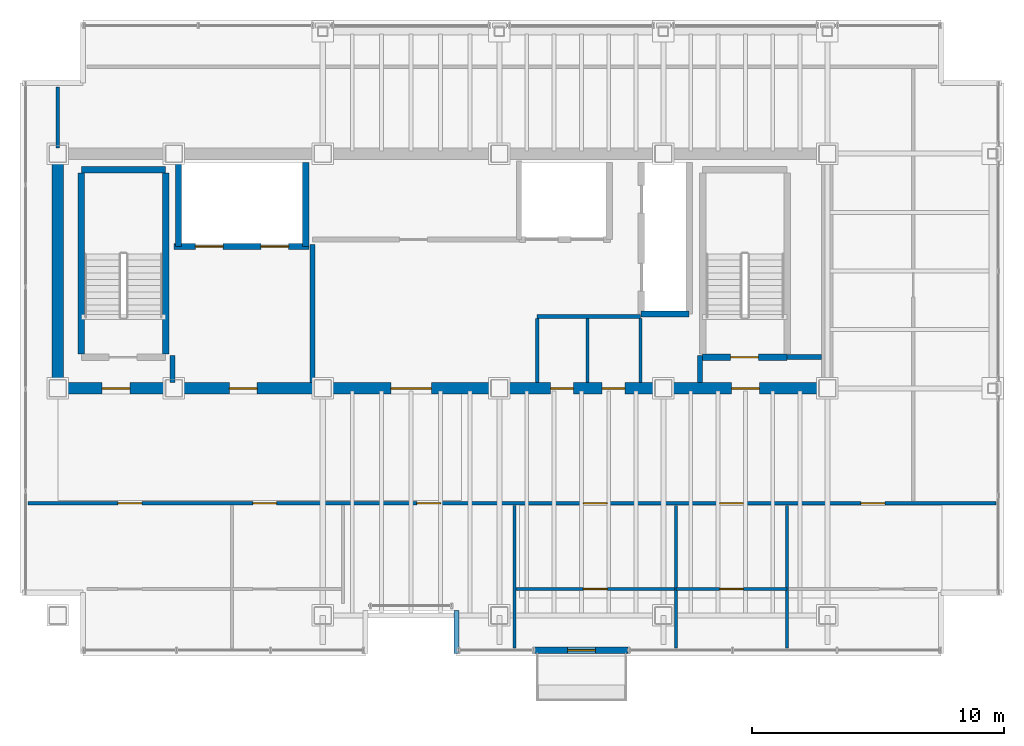
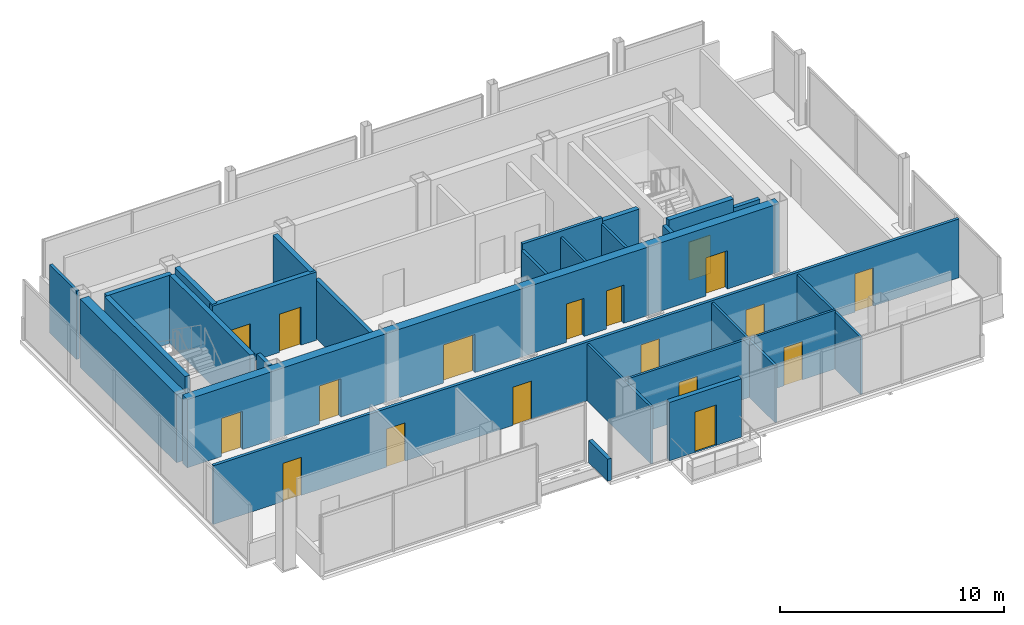
# One storey, part 14 of 17: 27 walls, 18 doors, 18 openings.
"""IFC4 building model written with IfcOpenShell, lengths in metres."""

from ifc_helpers import new_model, si_unit, direction, frame, frame_2d, origin, place, context, subcontext, project, spatial, rectangle, extrude, material, layer, layer_set, type_object, element, fill, save


model = new_model("IFC4")

# Units and contexts
model_context = context("Model", 3, precision=1e-05, world=origin(), true_north=direction((0.0, 1.0)))
body_context = subcontext(model_context, "Body", "Model", "MODEL_VIEW")
ifc_project = project(units=[si_unit("LENGTHUNIT", "METRE"), si_unit("AREAUNIT", "SQUARE_METRE"), si_unit("VOLUMEUNIT", "CUBIC_METRE"), si_unit("PLANEANGLEUNIT", "RADIAN"), si_unit("MASSUNIT", "GRAM", prefix="KILO")], contexts=[model_context])

# Site, building, storey
site_placement = place(None, origin())
site = spatial("IfcSite", under=ifc_project, at=site_placement, CompositionType="ELEMENT")
building_placement = place(site_placement, origin())
building = spatial("IfcBuilding", under=site, at=building_placement, Name="Noeulbin Bourse Tower", CompositionType="ELEMENT")
storey_placement = place(building_placement, frame((0.0, 0.0, 289.10009765625)))
storey = spatial("IfcBuildingStorey", under=building, at=storey_placement, Name="L72", CompositionType="ELEMENT", Elevation=289.10009765625)

# Wall, openings, doors
ifc_material_1 = material(Name="Concrete C50/60", Category="concrete")
ifc_layer_1 = layer(ifc_material_1, 0.449951171875)
ifc_layer_set_1 = layer_set([ifc_layer_1], Name="Concrete C50/60")
wall_type_1 = type_object("IfcWallType", Name="WAL-CORE-450", PredefinedType="SHEAR", material=ifc_layer_set_1)
wall_1_placement = place(storey_placement, frame((13.5, 29.0, 0.0), z_axis=(0.0, 0.0, 1.0), x_axis=(1.0, 0.0, 0.0)))
wall_1 = element("IfcWall", 1, at=wall_1_placement, inside=storey, type_object=wall_type_1, Name="Rear Core South Shear Wall L72", PredefinedType="SHEAR", context=body_context, shape_type="SweptSolid", body=[
    extrude(rectangle(XDim=30.5, YDim=0.449951171875, at=frame_2d((15.25, 0.0))), origin(), (0.0, 0.0, 1.0), 3.719970703125),
])
opening_1_placement = place(wall_1_placement, frame((1.75, 0.0, 0.0)))
opening_1 = element("IfcOpeningElement", 2, at=opening_1_placement, cuts=wall_1, Name="Opening FD-11", PredefinedType="OPENING", context=body_context, shape_type="SweptSolid", body=[
    extrude(rectangle(XDim=1.10009765625, YDim=2.080078125, at=frame_2d((0.550048828125, 1.0400390625))), frame((0.0, 0.23486328125, 0.0), z_axis=(0.0, -1.0, 0.0), x_axis=(1.0, 0.0, 0.0)), (0.0, 0.0, 1.0), 0.469970703125),
])
opening_2_placement = place(wall_1_placement, frame((26.699951171875, 0.0, 0.0)))
opening_2 = element("IfcOpeningElement", 3, at=opening_2_placement, cuts=wall_1, Name="Opening FD-11", PredefinedType="OPENING", context=body_context, shape_type="SweptSolid", body=[
    extrude(rectangle(XDim=1.10009765625, YDim=2.080078125, at=frame_2d((0.550048828125, 1.0400390625))), frame((0.0, 0.23486328125, 0.0), z_axis=(0.0, -1.0, 0.0), x_axis=(1.0, 0.0, 0.0)), (0.0, 0.0, 1.0), 0.469970703125),
])
opening_3_placement = place(wall_1_placement, frame((6.800048828125, 0.0, 0.0)))
opening_3 = element("IfcOpeningElement", 4, at=opening_3_placement, cuts=wall_1, Name="Opening FD-11", PredefinedType="OPENING", context=body_context, shape_type="SweptSolid", body=[
    extrude(rectangle(XDim=1.10009765625, YDim=2.080078125, at=frame_2d((0.550048828125, 1.0400390625))), frame((0.0, 0.23486328125, 0.0), z_axis=(0.0, -1.0, 0.0), x_axis=(1.0, 0.0, 0.0)), (0.0, 0.0, 1.0), 0.469970703125),
])
opening_4_placement = place(wall_1_placement, frame((13.199951171875, 0.0, 0.0)))
opening_4 = element("IfcOpeningElement", 5, at=opening_4_placement, cuts=wall_1, Name="Opening ID-16", PredefinedType="OPENING", context=body_context, shape_type="SweptSolid", body=[
    extrude(rectangle(XDim=1.60009765625, YDim=2.080078125, at=frame_2d((0.800048828125, 1.0400390625))), frame((0.0, 0.23486328125, 0.0), z_axis=(0.0, -1.0, 0.0), x_axis=(1.0, 0.0, 0.0)), (0.0, 0.0, 1.0), 0.469970703125),
])
opening_5_placement = place(wall_1_placement, frame((19.530029296875, 0.0, 0.0)))
opening_5 = element("IfcOpeningElement", 6, at=opening_5_placement, cuts=wall_1, Name="Opening FD-09", PredefinedType="OPENING", context=body_context, shape_type="SweptSolid", body=[
    extrude(rectangle(XDim=0.89990234375, YDim=2.080078125, at=frame_2d((0.449951171875, 1.0400390625))), frame((0.0, 0.23486328125, 0.0), z_axis=(0.0, -1.0, 0.0), x_axis=(1.0, 0.0, 0.0)), (0.0, 0.0, 1.0), 0.469970703125),
])
opening_6_placement = place(wall_1_placement, frame((21.570068359375, 0.0, 0.0)))
opening_6 = element("IfcOpeningElement", 7, at=opening_6_placement, cuts=wall_1, Name="Opening FD-09", PredefinedType="OPENING", context=body_context, shape_type="SweptSolid", body=[
    extrude(rectangle(XDim=0.89990234375, YDim=2.080078125, at=frame_2d((0.449951171875, 1.0400390625))), frame((0.0, 0.23486328125, 0.0), z_axis=(0.0, -1.0, 0.0), x_axis=(1.0, 0.0, 0.0)), (0.0, 0.0, 1.0), 0.469970703125),
])
ifc_material_2 = material(Name="Acoustic Glazed Aluminium", Category="aluminium")
door_type_1 = type_object("IfcDoorType", Name="DR-DBL-1600", OperationType="DOUBLE_DOOR_SINGLE_SWING", PredefinedType="DOOR", material=ifc_material_2)
door_1_placement = place(opening_4_placement, origin())
door_1 = element("IfcDoor", 8, at=door_1_placement, inside=storey, type_object=door_type_1, Name="Passenger Lift Lobby Portal L72", OperationType="DOUBLE_DOOR_SINGLE_SWING", OverallHeight=2.080078125, OverallWidth=1.60009765625, PredefinedType="DOOR", context=body_context, shape_type="SweptSolid", body=[
    extrude(rectangle(XDim=1.60009765625, YDim=2.080078125, at=frame_2d((0.800048828125, 1.0400390625))), frame((0.0, 0.02490234375, 0.0), z_axis=(0.0, -1.0, 0.0), x_axis=(1.0, 0.0, 0.0)), (0.0, 0.0, 1.0), 0.050048828125),
])
fill(opening_4, door_1)
ifc_material_3 = material(Name="Fire-Rated Timber Core", Category="wood")
door_type_2 = type_object("IfcDoorType", Name="DR-FD30-900", OperationType="SINGLE_SWING_RIGHT", PredefinedType="DOOR", material=ifc_material_3)
door_2_placement = place(opening_5_placement, origin())
door_2 = element("IfcDoor", 9, at=door_2_placement, inside=storey, type_object=door_type_2, Name="Interior Door L72-06", OperationType="SINGLE_SWING_LEFT", OverallHeight=2.080078125, OverallWidth=0.89990234375, PredefinedType="DOOR", context=body_context, shape_type="SweptSolid", body=[
    extrude(rectangle(XDim=0.89990234375, YDim=2.080078125, at=frame_2d((0.449951171875, 1.0400390625))), frame((0.0, 0.02490234375, 0.0), z_axis=(0.0, -1.0, 0.0), x_axis=(1.0, 0.0, 0.0)), (0.0, 0.0, 1.0), 0.050048828125),
])
fill(opening_5, door_2)
door_3_placement = place(opening_6_placement, origin())
door_3 = element("IfcDoor", 10, at=door_3_placement, inside=storey, type_object=door_type_2, Name="Interior Door L72-07", OperationType="SINGLE_SWING_RIGHT", OverallHeight=2.080078125, OverallWidth=0.89990234375, PredefinedType="DOOR", context=body_context, shape_type="SweptSolid", body=[
    extrude(rectangle(XDim=0.89990234375, YDim=2.080078125, at=frame_2d((0.449951171875, 1.0400390625))), frame((0.0, 0.02490234375, 0.0), z_axis=(0.0, -1.0, 0.0), x_axis=(1.0, 0.0, 0.0)), (0.0, 0.0, 1.0), 0.050048828125),
])
fill(opening_6, door_3)
ifc_material_4 = material(Name="Fire-Rated Insulated Steel", Category="steel")
door_type_3 = type_object("IfcDoorType", Name="DR-FD60-1100", OperationType="SINGLE_SWING_LEFT", PredefinedType="DOOR", material=ifc_material_4)
door_4_placement = place(opening_1_placement, origin())
door_4 = element("IfcDoor", 11, at=door_4_placement, inside=storey, type_object=door_type_3, Name="West Stair Lobby Door L72", OperationType="SINGLE_SWING_RIGHT", OverallHeight=2.080078125, OverallWidth=1.10009765625, PredefinedType="DOOR", context=body_context, shape_type="SweptSolid", body=[
    extrude(rectangle(XDim=1.10009765625, YDim=2.080078125, at=frame_2d((0.550048828125, 1.0400390625))), frame((0.0, 0.02490234375, 0.0), z_axis=(0.0, -1.0, 0.0), x_axis=(1.0, 0.0, 0.0)), (0.0, 0.0, 1.0), 0.050048828125),
])
fill(opening_1, door_4)
door_5_placement = place(opening_2_placement, origin())
door_5 = element("IfcDoor", 12, at=door_5_placement, inside=storey, type_object=door_type_3, Name="East Stair Lobby Door L72", OperationType="SINGLE_SWING_LEFT", OverallHeight=2.080078125, OverallWidth=1.10009765625, PredefinedType="DOOR", context=body_context, shape_type="SweptSolid", body=[
    extrude(rectangle(XDim=1.10009765625, YDim=2.080078125, at=frame_2d((0.550048828125, 1.0400390625))), frame((0.0, 0.02490234375, 0.0), z_axis=(0.0, -1.0, 0.0), x_axis=(1.0, 0.0, 0.0)), (0.0, 0.0, 1.0), 0.050048828125),
])
fill(opening_2, door_5)
door_6_placement = place(opening_3_placement, origin())
door_6 = element("IfcDoor", 13, at=door_6_placement, inside=storey, type_object=door_type_3, Name="Firefighting Lobby Door L72", OperationType="SINGLE_SWING_RIGHT", OverallHeight=2.080078125, OverallWidth=1.10009765625, PredefinedType="DOOR", context=body_context, shape_type="SweptSolid", body=[
    extrude(rectangle(XDim=1.10009765625, YDim=2.080078125, at=frame_2d((0.550048828125, 1.0400390625))), frame((0.0, 0.02490234375, 0.0), z_axis=(0.0, -1.0, 0.0), x_axis=(1.0, 0.0, 0.0)), (0.0, 0.0, 1.0), 0.050048828125),
])
fill(opening_3, door_6)

# Wall
wall_2_placement = place(storey_placement, frame((13.5, 29.35009765625, 0.0), z_axis=(0.0, 0.0, 1.0), x_axis=(0.0, 1.0, 0.0)))
element("IfcWall", 14, at=wall_2_placement, inside=storey, type_object=wall_type_1, Name="Rear Core West Shear Wall L72", PredefinedType="SHEAR", context=body_context, shape_type="SweptSolid", body=[
    extrude(rectangle(XDim=8.599853515625, YDim=0.449951171875, at=frame_2d((4.2998046875, 0.0))), origin(), (0.0, 0.0, 1.0), 3.719970703125),
])

# Wall, opening, door
ifc_material_5 = material(Name="Precast Concrete C40/50", Category="concrete")
ifc_layer_2 = layer(ifc_material_5, 0.25)
ifc_layer_set_2 = layer_set([ifc_layer_2], Name="Precast Concrete C40/50")
wall_type_2 = type_object("IfcWallType", Name="WAL-EXT-250", PredefinedType="STANDARD", material=ifc_layer_set_2)
wall_3_placement = place(storey_placement, frame((32.39990234375, 18.6201171875, 0.0), z_axis=(0.0, 0.0, 1.0), x_axis=(1.0, 0.0, 0.0)))
wall_3 = element("IfcWall", 15, at=wall_3_placement, inside=storey, type_object=wall_type_2, Name="Balcony Threshold Wall L72", PredefinedType="STANDARD", context=body_context, shape_type="SweptSolid", body=[
    extrude(rectangle(XDim=3.7001953125, YDim=0.25, at=frame_2d((1.85009765625, 0.0))), origin(), (0.0, 0.0, 1.0), 3.179931640625),
])
opening_7_placement = place(wall_3_placement, frame((1.300048828125, 0.0, 0.0)))
opening_7 = element("IfcOpeningElement", 16, at=opening_7_placement, cuts=wall_3, Name="Opening BD-11", PredefinedType="OPENING", context=body_context, shape_type="SweptSolid", body=[
    extrude(rectangle(XDim=1.10009765625, YDim=2.199951171875, at=frame_2d((0.550048828125, 1.10009765625))), frame((0.0, 0.135009765625, 0.0), z_axis=(0.0, -1.0, 0.0), x_axis=(1.0, 0.0, 0.0)), (0.0, 0.0, 1.0), 0.27001953125),
])
ifc_material_6 = material(Name="Thermally Broken Aluminium Framed Glass", Category="aluminium")
door_type_4 = type_object("IfcDoorType", Name="DR-BAL-1100", OperationType="SINGLE_SWING_LEFT", PredefinedType="DOOR", material=ifc_material_6)
door_7_placement = place(opening_7_placement, origin())
door_7 = element("IfcDoor", 17, at=door_7_placement, inside=storey, type_object=door_type_4, Name="Tree-Balcony Access Door BD-L72", OperationType="SINGLE_SWING_RIGHT", OverallHeight=2.199951171875, OverallWidth=1.10009765625, PredefinedType="DOOR", context=body_context, shape_type="SweptSolid", body=[
    extrude(rectangle(XDim=1.10009765625, YDim=2.199951171875, at=frame_2d((0.550048828125, 1.10009765625))), frame((0.0, 0.02490234375, 0.0), z_axis=(0.0, -1.0, 0.0), x_axis=(1.0, 0.0, 0.0)), (0.0, 0.0, 1.0), 0.050048828125),
])
fill(opening_7, door_7)

# Walls
ifc_material_7 = material(Name="Concrete C40/50", Category="concrete")
ifc_layer_3 = layer(ifc_material_7, 0.199951171875)
ifc_layer_set_3 = layer_set([ifc_layer_3], Name="Concrete C40/50")
wall_type_3 = type_object("IfcWallType", Name="WAL-FIRE-200", PredefinedType="STANDARD", material=ifc_layer_set_3)
wall_4_placement = place(storey_placement, frame((42.39990234375, 30.239990234375, 0.0), z_axis=(0.0, 0.0, 1.0), x_axis=(1.0, 0.0, 0.0)))
element("IfcWall", 18, at=wall_4_placement, inside=storey, type_object=wall_type_3, Name="Interior Partition Wall L72-01", PredefinedType="STANDARD", context=body_context, shape_type="SweptSolid", body=[
    extrude(rectangle(XDim=1.364990234375, YDim=0.199951171875, at=frame_2d((0.6826171875, 0.0))), origin(), (0.0, 0.0, 1.0), 3.199951171875),
])
wall_5_placement = place(storey_placement, frame((18.050048828125, 29.235107421875, 0.0), z_axis=(0.0, 0.0, 1.0), x_axis=(0.0, 1.0, 0.0)))
element("IfcWall", 19, at=wall_5_placement, inside=storey, type_object=wall_type_3, Name="Interior Partition Wall L72-11", PredefinedType="STANDARD", context=body_context, shape_type="SweptSolid", body=[
    extrude(rectangle(XDim=1.06494140625, YDim=0.199951171875, at=frame_2d((0.532470703125, 0.0))), origin(), (0.0, 0.0, 1.0), 3.719970703125),
])
wall_6_placement = place(storey_placement, frame((38.949951171875, 29.235107421875, 0.0), z_axis=(0.0, 0.0, 1.0), x_axis=(0.0, 1.0, 0.0)))
element("IfcWall", 20, at=wall_6_placement, inside=storey, type_object=wall_type_3, Name="Interior Partition Wall L72-12", PredefinedType="STANDARD", context=body_context, shape_type="SweptSolid", body=[
    extrude(rectangle(XDim=1.06494140625, YDim=0.199951171875, at=frame_2d((0.532470703125, 0.0))), origin(), (0.0, 0.0, 1.0), 3.39990234375),
])
wall_7_placement = place(storey_placement, frame((23.60009765625, 29.235107421875, 0.0), z_axis=(0.0, 0.0, 1.0), x_axis=(0.0, 1.0, 0.0)))
element("IfcWall", 21, at=wall_7_placement, inside=storey, type_object=wall_type_3, Name="Interior Partition Wall L72-13", PredefinedType="STANDARD", context=body_context, shape_type="SweptSolid", body=[
    extrude(rectangle(XDim=5.46484375, YDim=0.199951171875, at=frame_2d((2.732421875, 0.0))), origin(), (0.0, 0.0, 1.0), 3.199951171875),
])
ifc_layer_4 = layer(ifc_material_7, 0.199951171875)
ifc_layer_set_4 = layer_set([ifc_layer_4], Name="Concrete C40/50")
wall_type_4 = type_object("IfcWallType", Name="WAL-PAR-200", PredefinedType="PARAPET", material=ifc_layer_set_4)
wall_8_placement = place(storey_placement, frame((29.300048828125, 20.199951171875, 0.0), z_axis=(0.0, 0.0, 1.0), x_axis=(0.0, -1.0, 0.0)))
element("IfcWall", 22, at=wall_8_placement, inside=storey, type_object=wall_type_4, Name="Sky-Garden Recess Parapet L72-E", PredefinedType="PARAPET", context=body_context, shape_type="SweptSolid", body=[
    extrude(rectangle(XDim=1.699951171875, YDim=0.199951171875, at=frame_2d((0.85009765625, 0.0))), origin(), (0.0, 0.0, 1.0), 1.199951171875),
])

# Wall, opening, door
ifc_material_8 = material(Name="Steel Stud Gypsum Partition", Category="steel")
ifc_layer_5 = layer(ifc_material_8, 0.1201171875)
ifc_layer_set_5 = layer_set([ifc_layer_5], Name="Steel Stud Gypsum Partition")
wall_type_5 = type_object("IfcWallType", Name="WAL-PRT-120", PredefinedType="PARTITIONING", material=ifc_layer_set_5)
wall_9_placement = place(storey_placement, frame((31.60009765625, 21.050048828125, 0.0), z_axis=(0.0, 0.0, 1.0), x_axis=(1.0, 0.0, 0.0)))
wall_9 = element("IfcWall", 23, at=wall_9_placement, inside=storey, type_object=wall_type_5, Name="Interior Partition Wall L72-07", PredefinedType="PARTITIONING", context=body_context, shape_type="SweptSolid", body=[
    extrude(rectangle(XDim=6.39990234375, YDim=0.1201171875, at=frame_2d((3.199951171875, 0.0))), origin(), (0.0, 0.0, 1.0), 3.199951171875),
])
opening_8_placement = place(wall_9_placement, frame((2.72509765625, 0.0, 0.0)))
opening_8 = element("IfcOpeningElement", 24, at=opening_8_placement, cuts=wall_9, Name="Opening ID-09", PredefinedType="OPENING", context=body_context, shape_type="SweptSolid", body=[
    extrude(rectangle(XDim=0.949951171875, YDim=2.080078125, at=frame_2d((0.47509765625, 1.0400390625))), frame((0.0, 0.070068359375, 0.0), z_axis=(0.0, -1.0, 0.0), x_axis=(1.0, 0.0, 0.0)), (0.0, 0.0, 1.0), 0.14013671875),
])
ifc_material_9 = material(Name="Acoustic Solid-Core Timber", Category="wood")
door_type_5 = type_object("IfcDoorType", Name="DR-SINGLE-950", OperationType="SINGLE_SWING_LEFT", PredefinedType="DOOR", material=ifc_material_9)
door_8_placement = place(opening_8_placement, origin())
door_8 = element("IfcDoor", 25, at=door_8_placement, inside=storey, type_object=door_type_5, Name="Interior Door L72-13", OperationType="SINGLE_SWING_RIGHT", OverallHeight=2.080078125, OverallWidth=0.949951171875, PredefinedType="DOOR", context=body_context, shape_type="SweptSolid", body=[
    extrude(rectangle(XDim=0.949951171875, YDim=2.080078125, at=frame_2d((0.47509765625, 1.0400390625))), frame((0.0, 0.02490234375, 0.0), z_axis=(0.0, -1.0, 0.0), x_axis=(1.0, 0.0, 0.0)), (0.0, 0.0, 1.0), 0.050048828125),
])
fill(opening_8, door_8)

wall_10_placement = place(storey_placement, frame((38.0, 21.050048828125, 0.0), z_axis=(0.0, 0.0, 1.0), x_axis=(1.0, 0.0, 0.0)))
wall_10 = element("IfcWall", 26, at=wall_10_placement, inside=storey, type_object=wall_type_5, Name="Interior Partition Wall L72-08", PredefinedType="PARTITIONING", context=body_context, shape_type="SweptSolid", body=[
    extrude(rectangle(XDim=4.39990234375, YDim=0.1201171875, at=frame_2d((2.199951171875, 0.0))), origin(), (0.0, 0.0, 1.0), 3.199951171875),
])
opening_9_placement = place(wall_10_placement, frame((1.72509765625, 0.0, 0.0)))
opening_9 = element("IfcOpeningElement", 27, at=opening_9_placement, cuts=wall_10, Name="Opening ID-09", PredefinedType="OPENING", context=body_context, shape_type="SweptSolid", body=[
    extrude(rectangle(XDim=0.949951171875, YDim=2.080078125, at=frame_2d((0.47509765625, 1.0400390625))), frame((0.0, 0.070068359375, 0.0), z_axis=(0.0, -1.0, 0.0), x_axis=(1.0, 0.0, 0.0)), (0.0, 0.0, 1.0), 0.14013671875),
])
door_9_placement = place(opening_9_placement, origin())
door_9 = element("IfcDoor", 28, at=door_9_placement, inside=storey, type_object=door_type_5, Name="Interior Door L72-15", OperationType="SINGLE_SWING_RIGHT", OverallHeight=2.080078125, OverallWidth=0.949951171875, PredefinedType="DOOR", context=body_context, shape_type="SweptSolid", body=[
    extrude(rectangle(XDim=0.949951171875, YDim=2.080078125, at=frame_2d((0.47509765625, 1.0400390625))), frame((0.0, 0.02490234375, 0.0), z_axis=(0.0, -1.0, 0.0), x_axis=(1.0, 0.0, 0.0)), (0.0, 0.0, 1.0), 0.050048828125),
])
fill(opening_9, door_9)

# Walls
for number, where, z_axis, x_axis, name in (
    (29, (36.60009765625, 29.235107421875, 0.0), (0.0, 0.0, 1.0), (0.0, 1.0, 0.0), "Interior Partition Wall L72-15"),
    (30, (34.5, 29.235107421875, 0.0), (0.0, 0.0, 1.0), (0.0, 1.0, 0.0), "Interior Partition Wall L72-16"),
):
    element("IfcWall", number, at=place(storey_placement, frame(where, z_axis=z_axis, x_axis=x_axis)), inside=storey, type_object=wall_type_5, Name=name, PredefinedType="PARTITIONING", context=body_context, shape_type="SweptSolid", body=[
        extrude(rectangle(XDim=2.52978515625, YDim=0.1201171875, at=frame_2d((1.264892578125, 0.0))), origin(), (0.0, 0.0, 1.0), 3.39990234375),
    ])
for number, where, z_axis, x_axis, name in (
    (31, (31.60009765625, 18.7099609375, 0.0), (0.0, 0.0, 1.0), (0.0, 1.0, 0.0), "Interior Partition Wall L72-20"),
    (32, (38.0, 18.7099609375, 0.0), (0.0, 0.0, 1.0), (0.0, 1.0, 0.0), "Interior Partition Wall L72-21"),
    (33, (42.39990234375, 18.7099609375, 0.0), (0.0, 0.0, 1.0), (0.0, 1.0, 0.0), "Interior Partition Wall L72-22"),
):
    element("IfcWall", number, at=place(storey_placement, frame(where, z_axis=z_axis, x_axis=x_axis)), inside=storey, type_object=wall_type_5, Name=name, PredefinedType="PARTITIONING", context=body_context, shape_type="SweptSolid", body=[
        extrude(rectangle(XDim=5.655029296875, YDim=0.1201171875, at=frame_2d((2.82763671875, 0.0))), origin(), (0.0, 0.0, 1.0), 3.099853515625),
    ])
ifc_material_10 = material(Name="Steel Stud Acoustic Gypsum Board", Category="steel")
ifc_layer_6 = layer(ifc_material_10, 0.14990234375)
ifc_layer_set_6 = layer_set([ifc_layer_6], Name="Steel Stud Acoustic Gypsum Board")
wall_type_6 = type_object("IfcWallType", Name="WAL-PRT-150", PredefinedType="PARTITIONING", material=ifc_layer_set_6)
wall_11_placement = place(storey_placement, frame((32.5, 31.85009765625, 0.0), z_axis=(0.0, 0.0, 1.0), x_axis=(1.0, 0.0, 0.0)))
element("IfcWall", 34, at=wall_11_placement, inside=storey, type_object=wall_type_6, Name="Interior Partition Wall L72-03", PredefinedType="PARTITIONING", context=body_context, shape_type="SweptSolid", body=[
    extrude(rectangle(XDim=4.10009765625, YDim=0.14990234375, at=frame_2d((2.050048828125, 0.0))), origin(), (0.0, 0.0, 1.0), 3.719970703125),
])

# Wall, openings, doors
wall_12_placement = place(storey_placement, frame((12.31005859375, 24.449951171875, 0.0), z_axis=(0.0, 0.0, 1.0), x_axis=(1.0, 0.0, 0.0)))
wall_12 = element("IfcWall", 35, at=wall_12_placement, inside=storey, type_object=wall_type_6, Name="Interior Partition Wall L72-04", PredefinedType="PARTITIONING", context=body_context, shape_type="SweptSolid", body=[
    extrude(rectangle(XDim=38.3798828125, YDim=0.14990234375, at=frame_2d((19.18994140625, 0.0))), origin(), (0.0, 0.0, 1.0), 3.199951171875),
])
opening_10_placement = place(wall_12_placement, frame((3.570068359375, 0.0, 0.0)))
opening_10 = element("IfcOpeningElement", 36, at=opening_10_placement, cuts=wall_12, Name="Opening ID-09", PredefinedType="OPENING", context=body_context, shape_type="SweptSolid", body=[
    extrude(rectangle(XDim=0.949951171875, YDim=2.080078125, at=frame_2d((0.47509765625, 1.0400390625))), frame((0.0, 0.0849609375, 0.0), z_axis=(0.0, -1.0, 0.0), x_axis=(1.0, 0.0, 0.0)), (0.0, 0.0, 1.0), 0.169921875),
])
opening_11_placement = place(wall_12_placement, frame((8.9150390625, 0.0, 0.0)))
opening_11 = element("IfcOpeningElement", 37, at=opening_11_placement, cuts=wall_12, Name="Opening ID-09", PredefinedType="OPENING", context=body_context, shape_type="SweptSolid", body=[
    extrude(rectangle(XDim=0.949951171875, YDim=2.080078125, at=frame_2d((0.47509765625, 1.0400390625))), frame((0.0, 0.0849609375, 0.0), z_axis=(0.0, -1.0, 0.0), x_axis=(1.0, 0.0, 0.0)), (0.0, 0.0, 1.0), 0.169921875),
])
opening_12_placement = place(wall_12_placement, frame((15.4150390625, 0.0, 0.0)))
opening_12 = element("IfcOpeningElement", 38, at=opening_12_placement, cuts=wall_12, Name="Opening ID-09", PredefinedType="OPENING", context=body_context, shape_type="SweptSolid", body=[
    extrude(rectangle(XDim=0.949951171875, YDim=2.080078125, at=frame_2d((0.47509765625, 1.0400390625))), frame((0.0, 0.0849609375, 0.0), z_axis=(0.0, -1.0, 0.0), x_axis=(1.0, 0.0, 0.0)), (0.0, 0.0, 1.0), 0.169921875),
])
opening_13_placement = place(wall_12_placement, frame((22.014892578125, 0.0, 0.0)))
opening_13 = element("IfcOpeningElement", 39, at=opening_13_placement, cuts=wall_12, Name="Opening ID-09", PredefinedType="OPENING", context=body_context, shape_type="SweptSolid", body=[
    extrude(rectangle(XDim=0.949951171875, YDim=2.080078125, at=frame_2d((0.47509765625, 1.0400390625))), frame((0.0, 0.0849609375, 0.0), z_axis=(0.0, -1.0, 0.0), x_axis=(1.0, 0.0, 0.0)), (0.0, 0.0, 1.0), 0.169921875),
])
opening_14_placement = place(wall_12_placement, frame((27.4150390625, 0.0, 0.0)))
opening_14 = element("IfcOpeningElement", 40, at=opening_14_placement, cuts=wall_12, Name="Opening ID-09", PredefinedType="OPENING", context=body_context, shape_type="SweptSolid", body=[
    extrude(rectangle(XDim=0.949951171875, YDim=2.080078125, at=frame_2d((0.47509765625, 1.0400390625))), frame((0.0, 0.0849609375, 0.0), z_axis=(0.0, -1.0, 0.0), x_axis=(1.0, 0.0, 0.0)), (0.0, 0.0, 1.0), 0.169921875),
])
opening_15_placement = place(wall_12_placement, frame((33.014892578125, 0.0, 0.0)))
opening_15 = element("IfcOpeningElement", 41, at=opening_15_placement, cuts=wall_12, Name="Opening ID-09", PredefinedType="OPENING", context=body_context, shape_type="SweptSolid", body=[
    extrude(rectangle(XDim=0.949951171875, YDim=2.080078125, at=frame_2d((0.47509765625, 1.0400390625))), frame((0.0, 0.0849609375, 0.0), z_axis=(0.0, -1.0, 0.0), x_axis=(1.0, 0.0, 0.0)), (0.0, 0.0, 1.0), 0.169921875),
])
door_10_placement = place(opening_10_placement, origin())
door_10 = element("IfcDoor", 42, at=door_10_placement, inside=storey, type_object=door_type_5, Name="Interior Door L72-09", OperationType="SINGLE_SWING_RIGHT", OverallHeight=2.080078125, OverallWidth=0.949951171875, PredefinedType="DOOR", context=body_context, shape_type="SweptSolid", body=[
    extrude(rectangle(XDim=0.949951171875, YDim=2.080078125, at=frame_2d((0.47509765625, 1.0400390625))), frame((0.0, 0.02490234375, 0.0), z_axis=(0.0, -1.0, 0.0), x_axis=(1.0, 0.0, 0.0)), (0.0, 0.0, 1.0), 0.050048828125),
])
fill(opening_10, door_10)
door_11_placement = place(opening_11_placement, origin())
door_11 = element("IfcDoor", 43, at=door_11_placement, inside=storey, type_object=door_type_5, Name="Interior Door L72-11", OperationType="SINGLE_SWING_RIGHT", OverallHeight=2.080078125, OverallWidth=0.949951171875, PredefinedType="DOOR", context=body_context, shape_type="SweptSolid", body=[
    extrude(rectangle(XDim=0.949951171875, YDim=2.080078125, at=frame_2d((0.47509765625, 1.0400390625))), frame((0.0, 0.02490234375, 0.0), z_axis=(0.0, -1.0, 0.0), x_axis=(1.0, 0.0, 0.0)), (0.0, 0.0, 1.0), 0.050048828125),
])
fill(opening_11, door_11)
door_12_placement = place(opening_12_placement, origin())
door_12 = element("IfcDoor", 44, at=door_12_placement, inside=storey, type_object=door_type_5, Name="Interior Door L72-12", OperationType="SINGLE_SWING_LEFT", OverallHeight=2.080078125, OverallWidth=0.949951171875, PredefinedType="DOOR", context=body_context, shape_type="SweptSolid", body=[
    extrude(rectangle(XDim=0.949951171875, YDim=2.080078125, at=frame_2d((0.47509765625, 1.0400390625))), frame((0.0, 0.02490234375, 0.0), z_axis=(0.0, -1.0, 0.0), x_axis=(1.0, 0.0, 0.0)), (0.0, 0.0, 1.0), 0.050048828125),
])
fill(opening_12, door_12)
door_13_placement = place(opening_13_placement, origin())
door_13 = element("IfcDoor", 45, at=door_13_placement, inside=storey, type_object=door_type_5, Name="Interior Door L72-14", OperationType="SINGLE_SWING_LEFT", OverallHeight=2.080078125, OverallWidth=0.949951171875, PredefinedType="DOOR", context=body_context, shape_type="SweptSolid", body=[
    extrude(rectangle(XDim=0.949951171875, YDim=2.080078125, at=frame_2d((0.47509765625, 1.0400390625))), frame((0.0, 0.02490234375, 0.0), z_axis=(0.0, -1.0, 0.0), x_axis=(1.0, 0.0, 0.0)), (0.0, 0.0, 1.0), 0.050048828125),
])
fill(opening_13, door_13)
door_14_placement = place(opening_14_placement, origin())
door_14 = element("IfcDoor", 46, at=door_14_placement, inside=storey, type_object=door_type_5, Name="Interior Door L72-16", OperationType="SINGLE_SWING_LEFT", OverallHeight=2.080078125, OverallWidth=0.949951171875, PredefinedType="DOOR", context=body_context, shape_type="SweptSolid", body=[
    extrude(rectangle(XDim=0.949951171875, YDim=2.080078125, at=frame_2d((0.47509765625, 1.0400390625))), frame((0.0, 0.02490234375, 0.0), z_axis=(0.0, -1.0, 0.0), x_axis=(1.0, 0.0, 0.0)), (0.0, 0.0, 1.0), 0.050048828125),
])
fill(opening_14, door_14)
door_15_placement = place(opening_15_placement, origin())
door_15 = element("IfcDoor", 47, at=door_15_placement, inside=storey, type_object=door_type_5, Name="Interior Door L72-18", OperationType="SINGLE_SWING_LEFT", OverallHeight=2.080078125, OverallWidth=0.949951171875, PredefinedType="DOOR", context=body_context, shape_type="SweptSolid", body=[
    extrude(rectangle(XDim=0.949951171875, YDim=2.080078125, at=frame_2d((0.47509765625, 1.0400390625))), frame((0.0, 0.02490234375, 0.0), z_axis=(0.0, -1.0, 0.0), x_axis=(1.0, 0.0, 0.0)), (0.0, 0.0, 1.0), 0.050048828125),
])
fill(opening_15, door_15)

# Walls
wall_13_placement = place(storey_placement, frame((32.5, 29.235107421875, 0.0), z_axis=(0.0, 0.0, 1.0), x_axis=(0.0, 1.0, 0.0)))
element("IfcWall", 48, at=wall_13_placement, inside=storey, type_object=wall_type_6, Name="Interior Partition Wall L72-14", PredefinedType="PARTITIONING", context=body_context, shape_type="SweptSolid", body=[
    extrude(rectangle(XDim=2.52978515625, YDim=0.14990234375, at=frame_2d((1.264892578125, 0.0))), origin(), (0.0, 0.0, 1.0), 3.39990234375),
])
wall_14_placement = place(storey_placement, frame((13.5, 38.534912109375, 0.0), z_axis=(0.0, 0.0, 1.0), x_axis=(0.0, 1.0, 0.0)))
element("IfcWall", 49, at=wall_14_placement, inside=storey, type_object=wall_type_6, Name="Interior Partition Wall L72-23", PredefinedType="PARTITIONING", context=body_context, shape_type="SweptSolid", body=[
    extrude(rectangle(XDim=2.405029296875, YDim=0.14990234375, at=frame_2d((1.20263671875, 0.0))), origin(), (0.0, 0.0, 1.0), 3.719970703125),
])
ifc_layer_7 = layer(ifc_material_7, 0.25)
ifc_layer_set_7 = layer_set([ifc_layer_7], Name="Concrete C40/50")
wall_type_7 = type_object("IfcWallType", Name="WAL-SHFT-250", PredefinedType="STANDARD", material=ifc_layer_set_7)
wall_15_placement = place(storey_placement, frame((14.429931640625, 37.6689453125, 0.0), z_axis=(0.0, 0.0, 1.0), x_axis=(1.0, 0.0, 0.0)))
element("IfcWall", 50, at=wall_15_placement, inside=storey, type_object=wall_type_7, Name="Stair ST-1 North Shaft Wall L72", PredefinedType="STANDARD", context=body_context, shape_type="SweptSolid", body=[
    extrude(rectangle(XDim=3.340087890625, YDim=0.25, at=frame_2d((1.669921875, 0.0))), origin(), (0.0, 0.0, 1.0), 3.719970703125),
])
for number, where, z_axis, x_axis, name in (
    (51, (14.425048828125, 30.360107421875, 0.0), (0.0, 0.0, 1.0), (0.0, 1.0, 0.0), "Stair ST-1 West Shaft Wall L72"),
    (52, (17.77490234375, 30.360107421875, 0.0), (0.0, 0.0, 1.0), (0.0, 1.0, 0.0), "Stair ST-1 East Shaft Wall L72"),
):
    element("IfcWall", number, at=place(storey_placement, frame(where, z_axis=z_axis, x_axis=x_axis)), inside=storey, type_object=wall_type_7, Name=name, PredefinedType="STANDARD", context=body_context, shape_type="SweptSolid", body=[
        extrude(rectangle(XDim=7.183837890625, YDim=0.25, at=frame_2d((3.591796875, 0.0))), origin(), (0.0, 0.0, 1.0), 3.719970703125),
    ])

# Wall, opening, door
wall_16_placement = place(storey_placement, frame((39.06005859375, 30.235107421875, 0.0), z_axis=(0.0, 0.0, 1.0), x_axis=(1.0, 0.0, 0.0)))
wall_16 = element("IfcWall", 53, at=wall_16_placement, inside=storey, type_object=wall_type_7, Name="Stair ST-2 South Shaft Wall L72", PredefinedType="STANDARD", context=body_context, shape_type="SweptSolid", body=[
    extrude(rectangle(XDim=3.33984375, YDim=0.25, at=frame_2d((1.669921875, 0.0))), origin(), (0.0, 0.0, 1.0), 3.719970703125),
])
opening_16_placement = place(wall_16_placement, frame((1.10009765625, 0.0, 0.0)))
opening_16 = element("IfcOpeningElement", 54, at=opening_16_placement, cuts=wall_16, Name="Opening FD-11", PredefinedType="OPENING", context=body_context, shape_type="SweptSolid", body=[
    extrude(rectangle(XDim=1.10009765625, YDim=2.080078125, at=frame_2d((0.550048828125, 1.0400390625))), frame((0.0, 0.135009765625, 0.0), z_axis=(0.0, -1.0, 0.0), x_axis=(1.0, 0.0, 0.0)), (0.0, 0.0, 1.0), 0.27001953125),
])
door_16_placement = place(opening_16_placement, origin())
door_16 = element("IfcDoor", 55, at=door_16_placement, inside=storey, type_object=door_type_3, Name="Protected Stair Entry Door ST2-L72", OperationType="SINGLE_SWING_LEFT", OverallHeight=2.080078125, OverallWidth=1.10009765625, PredefinedType="DOOR", context=body_context, shape_type="SweptSolid", body=[
    extrude(rectangle(XDim=1.10009765625, YDim=2.080078125, at=frame_2d((0.550048828125, 1.0400390625))), frame((0.0, 0.02490234375, 0.0), z_axis=(0.0, -1.0, 0.0), x_axis=(1.0, 0.0, 0.0)), (0.0, 0.0, 1.0), 0.050048828125),
])
fill(opening_16, door_16)

# Wall, openings, doors
wall_17_placement = place(storey_placement, frame((18.10009765625, 34.6201171875, 0.0), z_axis=(0.0, 0.0, 1.0), x_axis=(1.0, 0.0, 0.0)))
wall_17 = element("IfcWall", 56, at=wall_17_placement, inside=storey, type_object=wall_type_7, Name="Firefighting Lift Shaft Front L72", PredefinedType="STANDARD", context=body_context, shape_type="SweptSolid", body=[
    extrude(rectangle(XDim=5.349853515625, YDim=0.25, at=frame_2d((2.6748046875, 0.0))), origin(), (0.0, 0.0, 1.0), 3.719970703125),
])
opening_17_placement = place(wall_17_placement, frame((0.85009765625, 0.0, 0.0)))
opening_17 = element("IfcOpeningElement", 57, at=opening_17_placement, cuts=wall_17, Name="Opening LD-11", PredefinedType="OPENING", context=body_context, shape_type="SweptSolid", body=[
    extrude(rectangle(XDim=1.10009765625, YDim=2.080078125, at=frame_2d((0.550048828125, 1.0400390625))), frame((0.0, 0.135009765625, 0.0), z_axis=(0.0, -1.0, 0.0), x_axis=(1.0, 0.0, 0.0)), (0.0, 0.0, 1.0), 0.27001953125),
])
opening_18_placement = place(wall_17_placement, frame((3.449951171875, 0.0, 0.0)))
opening_18 = element("IfcOpeningElement", 58, at=opening_18_placement, cuts=wall_17, Name="Opening LD-11", PredefinedType="OPENING", context=body_context, shape_type="SweptSolid", body=[
    extrude(rectangle(XDim=1.10009765625, YDim=2.080078125, at=frame_2d((0.550048828125, 1.0400390625))), frame((0.0, 0.135009765625, 0.0), z_axis=(0.0, -1.0, 0.0), x_axis=(1.0, 0.0, 0.0)), (0.0, 0.0, 1.0), 0.27001953125),
])
ifc_material_11 = material(Name="Brushed Stainless Steel 316", Category="steel")
door_type_6 = type_object("IfcDoorType", Name="DR-LIFT-1100", OperationType="SLIDING_TO_LEFT", PredefinedType="DOOR", material=ifc_material_11)
door_17_placement = place(opening_17_placement, origin())
door_17 = element("IfcDoor", 59, at=door_17_placement, inside=storey, type_object=door_type_6, Name="Lift Landing Door LD-FL-01-L72", OperationType="SLIDING_TO_LEFT", OverallHeight=2.080078125, OverallWidth=1.10009765625, PredefinedType="DOOR", context=body_context, shape_type="SweptSolid", body=[
    extrude(rectangle(XDim=1.10009765625, YDim=2.080078125, at=frame_2d((0.550048828125, 1.0400390625))), frame((0.0, 0.02490234375, 0.0), z_axis=(0.0, -1.0, 0.0), x_axis=(1.0, 0.0, 0.0)), (0.0, 0.0, 1.0), 0.050048828125),
])
fill(opening_17, door_17)
door_18_placement = place(opening_18_placement, origin())
door_18 = element("IfcDoor", 60, at=door_18_placement, inside=storey, type_object=door_type_6, Name="Lift Landing Door LD-FL-02-L72", OperationType="SLIDING_TO_LEFT", OverallHeight=2.080078125, OverallWidth=1.10009765625, PredefinedType="DOOR", context=body_context, shape_type="SweptSolid", body=[
    extrude(rectangle(XDim=1.10009765625, YDim=2.080078125, at=frame_2d((0.550048828125, 1.0400390625))), frame((0.0, 0.02490234375, 0.0), z_axis=(0.0, -1.0, 0.0), x_axis=(1.0, 0.0, 0.0)), (0.0, 0.0, 1.0), 0.050048828125),
])
fill(opening_18, door_18)

# Walls
wall_18_placement = place(storey_placement, frame((36.6201171875, 31.949951171875, 0.0), z_axis=(0.0, 0.0, 1.0), x_axis=(1.0, 0.0, 0.0)))
element("IfcWall", 61, at=wall_18_placement, inside=storey, type_object=wall_type_7, Name="Service Lift South Shaft Wall L72", PredefinedType="STANDARD", context=body_context, shape_type="SweptSolid", body=[
    extrude(rectangle(XDim=1.89990234375, YDim=0.25, at=frame_2d((0.949951171875, 0.0))), origin(), (0.0, 0.0, 1.0), 3.47998046875),
])
for number, where, z_axis, x_axis, name in (
    (62, (18.280029296875, 34.6201171875, 0.0), (0.0, 0.0, 1.0), (0.0, 1.0, 0.0), "Firefighting Lift West Shaft Wall L72"),
    (63, (23.320068359375, 34.6201171875, 0.0), (0.0, 0.0, 1.0), (0.0, 1.0, 0.0), "Firefighting Lift East Shaft Wall L72"),
):
    element("IfcWall", number, at=place(storey_placement, frame(where, z_axis=z_axis, x_axis=x_axis)), inside=storey, type_object=wall_type_7, Name=name, PredefinedType="STANDARD", context=body_context, shape_type="SweptSolid", body=[
        extrude(rectangle(XDim=3.329833984375, YDim=0.25, at=frame_2d((1.6650390625, 0.0))), origin(), (0.0, 0.0, 1.0), 3.719970703125),
    ])

save(model, "model.ifc")
